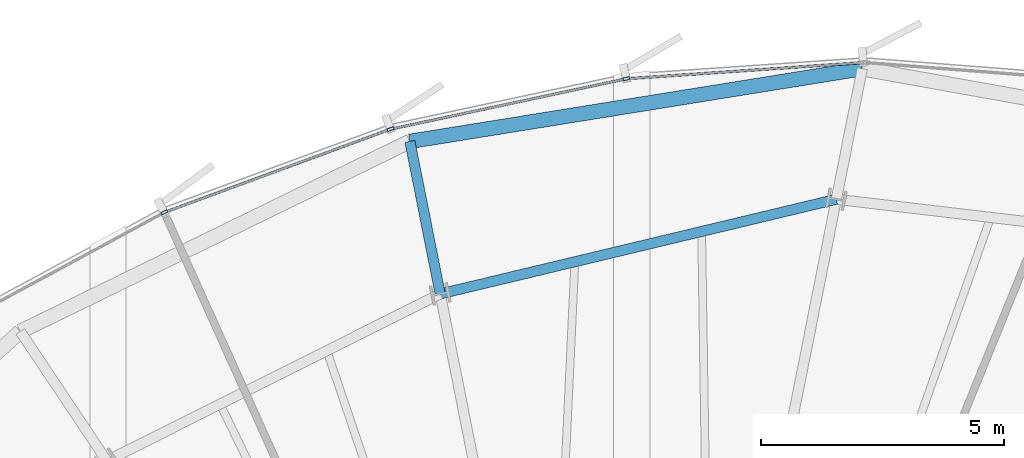
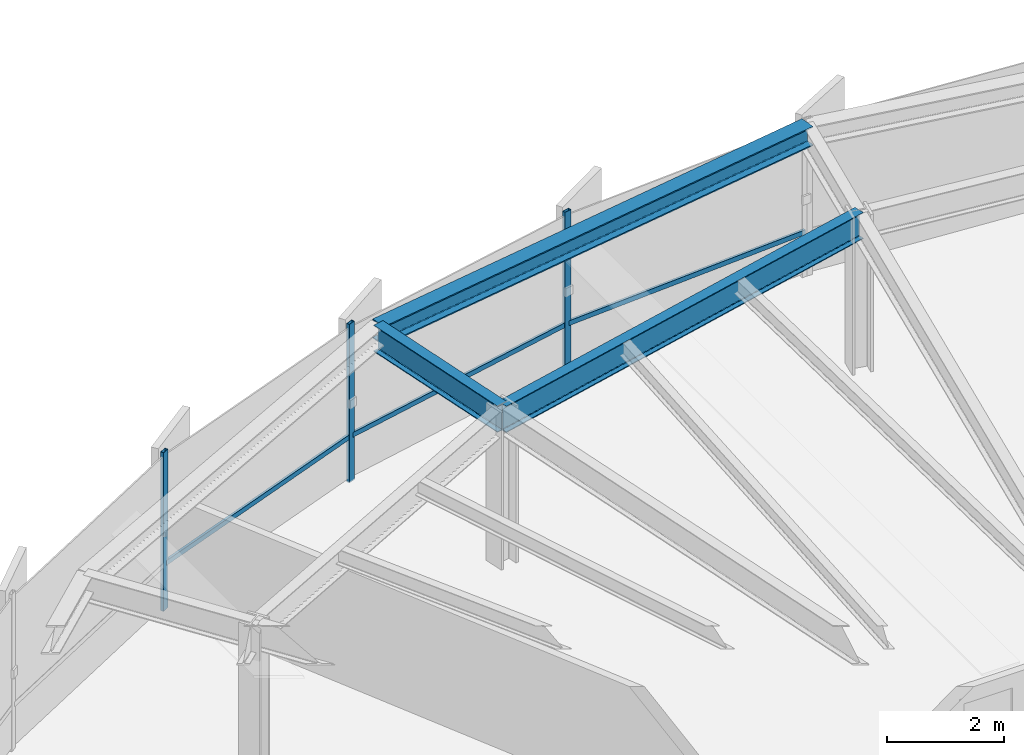
# One storey, part 23 of 37: 6 members, 3 beams, 1 element without a shape of its own.
"""IFC4 building model written with IfcOpenShell, lengths in metres."""

from ifc_helpers import new_model, si_unit, direction, frame, origin, origin_2d, place, context, subcontext, project, spatial, hollow_rectangle, i_section, extrude, source, transform, mapped, material, layer, layer_set, material_profile, profile_set, type_object, element, aggregate, save


model = new_model("IFC4")

# Units and contexts
model_context = context("Model", 3, precision=1e-05, world=origin(), true_north=direction((0.0, 1.0)))
body_context = subcontext(model_context, "Body", "Model", "MODEL_VIEW")
ifc_project = project(units=[si_unit("LENGTHUNIT", "METRE"), si_unit("AREAUNIT", "SQUARE_METRE"), si_unit("VOLUMEUNIT", "CUBIC_METRE"), si_unit("PLANEANGLEUNIT", "RADIAN"), si_unit("MASSUNIT", "GRAM", prefix="KILO"), si_unit("THERMODYNAMICTEMPERATUREUNIT", "KELVIN")], contexts=[model_context])

# Site, building, storey
site_placement = place(None, origin())
site = spatial("IfcSite", under=ifc_project, at=site_placement, CompositionType="ELEMENT")
building_placement = place(site_placement, origin())
building = spatial("IfcBuilding", under=site, at=building_placement, Name="Kethvar Cultural Tower", CompositionType="ELEMENT")
storey_placement = place(building_placement, frame((0.0, 0.0, 132.35009765625)))
storey = spatial("IfcBuildingStorey", under=building, at=storey_placement, Name="L33", CompositionType="ELEMENT", Elevation=132.35009765625)

# Beams
ifc_material_1 = material(Name="Steel S355J2", Category="steel")
ifc_material_profile_1 = material_profile(ifc_material_1, i_section(OverallWidth=0.2099609375, OverallDepth=0.550048828125, WebThickness=0.010986328125, FlangeThickness=0.01708984375, FilletRadius=0.02392578125, at=origin_2d()), Name="Steel S355J2 — IPE550")
ifc_profile_set_1 = profile_set([ifc_material_profile_1], Name="Steel S355J2 — IPE550")
beam_type_1 = type_object("IfcBeamType", Name="BM-IPE550", PredefinedType="BEAM", material=ifc_profile_set_1)
shared_shape_1 = source(origin(), body_context, "Body", "SweptSolid", [
    extrude(i_section(OverallWidth=0.2099609375, OverallDepth=0.550048828125, WebThickness=0.010986328125, FlangeThickness=0.01708984375, FilletRadius=0.02392578125, at=origin_2d()), origin(), (0.0, 0.0, 1.0), 3.199951171875),
])
beam_1_placement = place(storey_placement, frame((42.9189453125, 47.311279296875, 3.02294921875), z_axis=(-0.195088965533, 0.980785550224, 0.0), x_axis=(-0.980785550224, -0.195088965533, 0.0)))
element("IfcBeam", 1, at=beam_1_placement, inside=storey, type_object=beam_type_1, Name="L33 Perimeter Cantilever Beam RC-05", PredefinedType="BEAM", context=body_context, shape_type="MappedRepresentation", body=[
    mapped(shared_shape_1, transform((0.0, 0.0, 0.0), scale=1.0)),
])
shared_shape_2 = source(origin(), body_context, "Body", "SweptSolid", [
    extrude(i_section(OverallWidth=0.2099609375, OverallDepth=0.550048828125, WebThickness=0.010986328125, FlangeThickness=0.01708984375, FilletRadius=0.02392578125, at=origin_2d()), origin(), (0.0, 0.0, 1.0), 8.379150390625),
])
beam_2_placement = place(storey_placement, frame((51.068603515625, 49.25927734375, 3.02294921875), z_axis=(-0.972601380857, -0.232479147355, 0.0), x_axis=(0.232479147355, -0.972601380857, 0.0)))
element("IfcBeam", 2, at=beam_2_placement, inside=storey, type_object=beam_type_1, Name="L33 Column Ring Tie Beam CR-04", PredefinedType="BEAM", context=body_context, shape_type="MappedRepresentation", body=[
    mapped(shared_shape_2, transform((0.0, 0.0, 0.0), scale=1.0)),
])
ifc_material_profile_2 = material_profile(ifc_material_1, i_section(OverallWidth=0.300048828125, OverallDepth=0.39990234375, WebThickness=0.013427734375, FlangeThickness=0.02392578125, FilletRadius=0.027099609375, at=origin_2d()), Name="Steel S355J2 — HEB400")
ifc_profile_set_2 = profile_set([ifc_material_profile_2], Name="Steel S355J2 — HEB400")
beam_type_2 = type_object("IfcBeamType", Name="BM-SP400", PredefinedType="SPANDREL", material=ifc_profile_set_2)
shared_shape_3 = source(origin(), body_context, "Body", "SweptSolid", [
    extrude(i_section(OverallWidth=0.300048828125, OverallDepth=0.39990234375, WebThickness=0.013427734375, FlangeThickness=0.02392578125, FilletRadius=0.027099609375, at=origin_2d()), origin(), (0.0, 0.0, 1.0), 9.427490234375),
])
beam_3_placement = place(storey_placement, frame((51.602783203125, 51.94580078125, 3.097900390625), z_axis=(-0.987327907896, -0.158693422326, 0.0), x_axis=(0.158693422326, -0.987327907896, 0.0)))
element("IfcBeam", 3, at=beam_3_placement, inside=storey, type_object=beam_type_2, Name="L33 Perimeter Spandrel Beam SP-04", PredefinedType="SPANDREL", context=body_context, shape_type="MappedRepresentation", body=[
    mapped(shared_shape_3, transform((0.0, 0.0, 0.0), scale=1.0)),
])

# Curtain wall, members
ifc_material_2 = material(Name="Aluminium 6063-T6", Category="aluminium")
ifc_layer = layer(ifc_material_2, 0.179931640625, Name="Aluminium 6063-T6", Category="aluminium")
ifc_layer_set = layer_set([ifc_layer], Name="Aluminium 6063-T6 (180 mm)")
curtain_wall_type = type_object("IfcCurtainWallType", Name="CW-SYS-04-Z34", PredefinedType="NOTDEFINED", material=ifc_layer_set)
curtain_wall_placement = place(storey_placement, origin())
curtain_wall = element("IfcCurtainWall", 4, at=curtain_wall_placement, inside=storey, type_object=curtain_wall_type, Name="L33 Curtain Wall Run 02", PredefinedType="NOTDEFINED")
ifc_material_profile_3 = material_profile(ifc_material_2, hollow_rectangle(XDim=0.06005859375, YDim=0.139892578125, WallThickness=0.0048828125, at=origin_2d()), Name="Aluminium 6063-T6 — RHS140x60x5")
ifc_profile_set_3 = profile_set([ifc_material_profile_3], Name="Aluminium 6063-T6 — RHS140x60x5")
member_type_1 = type_object("IfcMemberType", Name="CW-SYS-04-Z34-MUL", PredefinedType="MULLION", material=ifc_profile_set_3)
shared_shape_4 = source(origin(), body_context, "Body", "SweptSolid", [
    extrude(hollow_rectangle(XDim=0.06005859375, YDim=0.139892578125, WallThickness=0.0048828125, at=origin_2d()), origin(), (0.0, 0.0, 1.0), 3.2998046875),
])
member_1_placement = place(storey_placement, frame((46.747314453125, 51.738525390625, 0.0), z_axis=(0.0, 0.0, 1.0), x_axis=(0.209208971642, -0.977870955794, 0.0)))
member_1 = element("IfcMember", 5, at=member_1_placement, type_object=member_type_1, Name="CW-L33-R02 Mullion 2", PredefinedType="MULLION", context=body_context, shape_type="MappedRepresentation", body=[
    mapped(shared_shape_4, transform((0.0, 0.0, 0.0), scale=1.0)),
])
member_2_placement = place(storey_placement, frame((41.8955078125, 50.701904296875, 0.0), z_axis=(0.0, 0.0, 1.0), x_axis=(0.345461991671, -0.938432742561, 0.0)))
member_2 = element("IfcMember", 6, at=member_2_placement, type_object=member_type_1, Name="CW-L33-R02 Mullion 3", PredefinedType="MULLION", context=body_context, shape_type="MappedRepresentation", body=[
    mapped(shared_shape_4, transform((0.0, 0.0, 0.0), scale=1.0)),
])
member_3_placement = place(storey_placement, frame((37.2412109375, 48.989501953125, 0.0), z_axis=(0.0, 0.0, 1.0), x_axis=(0.475654914308, -0.879631969914, 0.0)))
member_3 = element("IfcMember", 7, at=member_3_placement, type_object=member_type_1, Name="CW-L33-R02 Mullion 4", PredefinedType="MULLION", context=body_context, shape_type="MappedRepresentation", body=[
    mapped(shared_shape_4, transform((0.0, 0.0, 0.0), scale=1.0)),
])
ifc_material_profile_4 = material_profile(ifc_material_2, hollow_rectangle(XDim=0.050048828125, YDim=0.10009765625, WallThickness=0.00390625, at=origin_2d()), Name="Aluminium 6063-T6 — RHS100x50x4")
ifc_profile_set_4 = profile_set([ifc_material_profile_4], Name="Aluminium 6063-T6 — RHS100x50x4")
member_type_2 = type_object("IfcMemberType", Name="CW-SYS-04-Z34-TRN", PredefinedType="USERDEFINED", material=ifc_profile_set_4)
shared_shape_5 = source(origin(), body_context, "Body", "SweptSolid", [
    extrude(hollow_rectangle(XDim=0.050048828125, YDim=0.10009765625, WallThickness=0.00390625, at=origin_2d()), origin(), (0.0, 0.0, 1.0), 4.853515625),
])
member_4_placement = place(storey_placement, frame((51.6171875, 52.071044921875, 0.949951171875), z_axis=(-0.997664255964, -0.068308362388, 0.0), x_axis=(0.068308362388, -0.997664255964, 0.0)))
member_4 = element("IfcMember", 8, at=member_4_placement, type_object=member_type_2, Name="CW-L33-R02 Transom 1", ObjectType="TRANSOM", PredefinedType="USERDEFINED", context=body_context, shape_type="MappedRepresentation", body=[
    mapped(shared_shape_5, transform((0.0, 0.0, 0.0), scale=1.0)),
])
shared_shape_6 = source(origin(), body_context, "Body", "SweptSolid", [
    extrude(hollow_rectangle(XDim=0.050048828125, YDim=0.10009765625, WallThickness=0.00390625, at=origin_2d()), origin(), (0.0, 0.0, 1.0), 4.890380859375),
])
member_5_placement = place(storey_placement, frame((46.705078125, 51.7294921875, 0.949951171875), z_axis=(-0.97787832912, -0.209174504749, 0.0), x_axis=(0.209174504749, -0.97787832912, 0.0)))
member_5 = element("IfcMember", 9, at=member_5_placement, type_object=member_type_2, Name="CW-L33-R02 Transom 2", ObjectType="TRANSOM", PredefinedType="USERDEFINED", context=body_context, shape_type="MappedRepresentation", body=[
    mapped(shared_shape_6, transform((0.0, 0.0, 0.0), scale=1.0)),
])
shared_shape_7 = source(origin(), body_context, "Body", "SweptSolid", [
    extrude(hollow_rectangle(XDim=0.050048828125, YDim=0.10009765625, WallThickness=0.00390625, at=origin_2d()), origin(), (0.0, 0.0, 1.0), 4.888671875),
])
member_6_placement = place(storey_placement, frame((41.85498046875, 50.686767578125, 0.949951171875), z_axis=(-0.938440281856, -0.345441510808, 0.0), x_axis=(0.345441510808, -0.938440281856, 0.0)))
member_6 = element("IfcMember", 10, at=member_6_placement, type_object=member_type_2, Name="CW-L33-R02 Transom 3", ObjectType="TRANSOM", PredefinedType="USERDEFINED", context=body_context, shape_type="MappedRepresentation", body=[
    mapped(shared_shape_7, transform((0.0, 0.0, 0.0), scale=1.0)),
])
aggregate(curtain_wall, [member_1, member_2, member_3, member_4, member_5, member_6])

save(model, "model.ifc")
